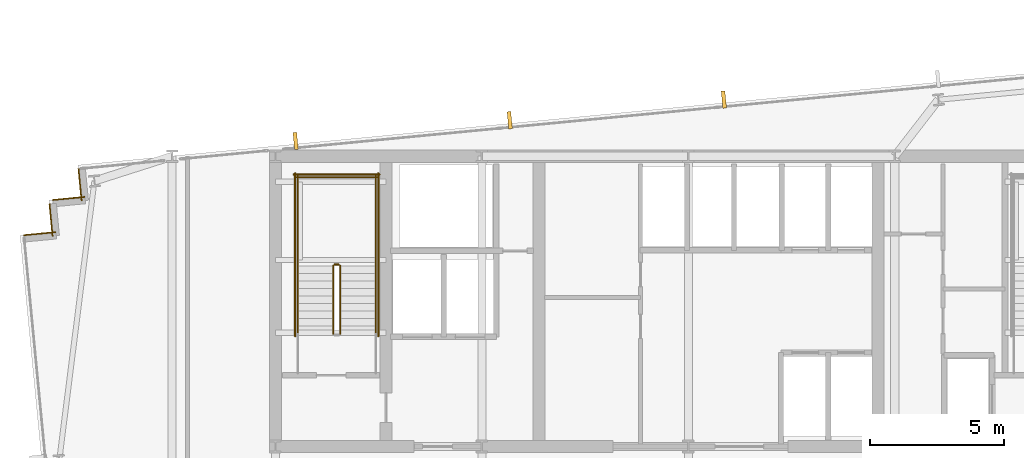
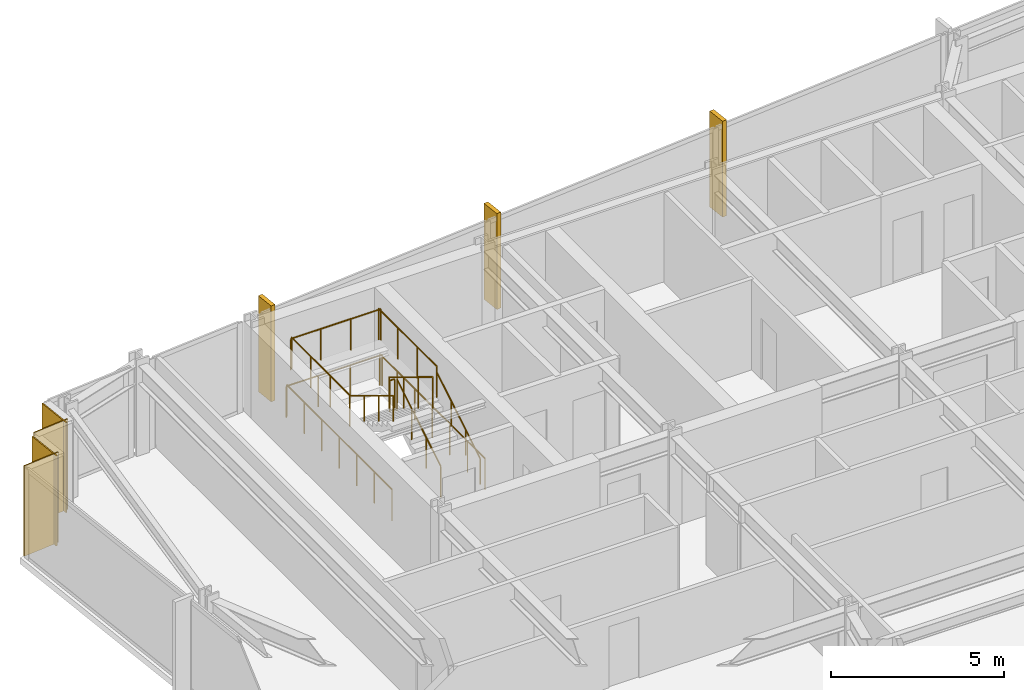
# One storey, part 31 of 32: 11 railings, 4 coverings, 3 shading devices.
"""IFC4 building model written with IfcOpenShell, lengths in metres."""

from ifc_helpers import new_model, si_unit, direction, frame, frame_2d, origin, origin_2d, place, context, subcontext, project, spatial, rectangle, circle, extrude, material, layer, layer_set, type_object, element, save


model = new_model("IFC4")

# Units and contexts
model_context = context("Model", 3, precision=1e-05, world=origin(), true_north=direction((0.0, 1.0)))
body_context = subcontext(model_context, "Body", "Model", "MODEL_VIEW")
ifc_project = project(units=[si_unit("LENGTHUNIT", "METRE"), si_unit("AREAUNIT", "SQUARE_METRE"), si_unit("VOLUMEUNIT", "CUBIC_METRE"), si_unit("PLANEANGLEUNIT", "RADIAN"), si_unit("MASSUNIT", "GRAM", prefix="KILO")], contexts=[model_context])

# Site, building, storey
site_placement = place(None, origin())
site = spatial("IfcSite", under=ifc_project, at=site_placement, CompositionType="ELEMENT")
building_placement = place(site_placement, origin())
building = spatial("IfcBuilding", under=site, at=building_placement, Name="Yelkora Congress Tower", CompositionType="ELEMENT")
storey_placement = place(building_placement, frame((0.0, 0.0, 120.300048828125)))
storey = spatial("IfcBuildingStorey", under=building, at=storey_placement, Name="L32", CompositionType="ELEMENT", Elevation=120.300048828125)

# Coverings
ifc_material_1 = material(Name="Anatolian bush-hammered limestone", Category="masonry")
ifc_layer_1 = layer(ifc_material_1, 0.0400390625)
ifc_layer_set_1 = layer_set([ifc_layer_1], Name="Anatolian bush-hammered limestone")
covering_type = type_object("IfcCoveringType", Name="COV-CLAD-SPANDREL-40", PredefinedType="CLADDING", material=ifc_layer_set_1)
for number, where, z_axis, x_axis, name in (
    (1, (13.677978515625, 43.260986328125, 0.0), (0.0, 0.0, 1.0), (0.995397091755, 0.095836473879, 0.0), "L32 Anatolian Limestone Cladding EW-L32-SR06"),
    (2, (14.7509765625, 43.228759765625, 0.0), (0.0, 0.0, 1.0), (-0.095836473879, 0.995397091755, 0.0), "L32 Anatolian Limestone Cladding EW-L32-SR07"),
):
    element("IfcCovering", number, at=place(storey_placement, frame(where, z_axis=z_axis, x_axis=x_axis)), inside=storey, type_object=covering_type, Name=name, PredefinedType="CLADDING", context=body_context, shape_type="SweptSolid", body=[
        extrude(rectangle(XDim=1.199951171875, YDim=0.0400390625, at=frame_2d((0.60009765625, 0.0))), origin(), (0.0, 0.0, 1.0), 3.179931640625),
    ])
for number, where, z_axis, x_axis, name in (
    (3, (14.75732421875, 44.570556640625, 0.0), (0.0, 0.0, 1.0), (0.995398960025, 0.095817067274, 0.0), "L32 Anatolian Limestone Cladding EW-L32-SR08"),
    (4, (15.830322265625, 44.5380859375, 0.0), (0.0, 0.0, 1.0), (-0.095817067274, 0.995398960025, 0.0), "L32 Anatolian Limestone Cladding EW-L32-SR09"),
):
    element("IfcCovering", number, at=place(storey_placement, frame(where, z_axis=z_axis, x_axis=x_axis)), inside=storey, type_object=covering_type, Name=name, PredefinedType="CLADDING", context=body_context, shape_type="SweptSolid", body=[
        extrude(rectangle(XDim=1.2001953125, YDim=0.0400390625, at=frame_2d((0.60009765625, 0.0))), origin(), (0.0, 0.0, 1.0), 3.179931640625),
    ])

# Railings
ifc_material_2 = material(Name="Painted galvanised steel stair well guard with vertical infill", Category="steel")
ifc_layer_2 = layer(ifc_material_2, 0.06005859375)
ifc_layer_set_2 = layer_set([ifc_layer_2], Name="Painted galvanised steel stair well guard with vertical infill")
railing_type_1 = type_object("IfcRailingType", Name="RAIL-STAIR-GUARD-1120", PredefinedType="GUARDRAIL", material=ifc_layer_set_2)
railing_1_placement = place(storey_placement, frame((25.449951171875, 39.60009765625, 0.169921875)))
element("IfcRailing", 5, at=railing_1_placement, inside=storey, type_object=railing_type_1, Name="ST-01 L32 Stair Well Guardrail 1", PredefinedType="GUARDRAIL", context=body_context, shape_type="SweptSolid", body=[
    extrude(circle(Radius=0.02392578125, at=origin_2d()), frame((0.0, 0.0, 1.09619140625), z_axis=(0.0, 0.85478489116, 0.518982456201), x_axis=(-1.0, 0.0, 0.0)), (0.0, 0.0, 1.0), 2.9482421875),
    extrude(circle(Radius=0.02099609375, at=origin_2d()), origin(), (0.0, 0.0, 1.0), 1.072021484375),
    extrude(circle(Radius=0.02099609375, at=origin_2d()), frame((0.0, 0.840087890625, 0.510009765625)), (0.0, 0.0, 1.0), 1.072021484375),
    extrude(circle(Radius=0.02099609375, at=origin_2d()), frame((0.0, 1.679931640625, 1.02001953125)), (0.0, 0.0, 1.0), 1.072021484375),
    extrude(circle(Radius=0.02099609375, at=origin_2d()), frame((0.0, 2.52001953125, 1.530029296875)), (0.0, 0.0, 1.0), 1.072021484375),
])
railing_2_placement = place(storey_placement, frame((25.39990234375, 42.169921875, 1.699951171875)))
element("IfcRailing", 6, at=railing_2_placement, inside=storey, type_object=railing_type_1, Name="ST-01 L32 Stair Well Guardrail 2", PredefinedType="GUARDRAIL", context=body_context, shape_type="SweptSolid", body=[
    extrude(circle(Radius=0.02392578125, at=origin_2d()), frame((0.0, 0.0, 1.09619140625), z_axis=(-1.0, 0.0, 0.0), x_axis=(0.0, -1.0, 0.0)), (0.0, 0.0, 1.0), 0.159912109375),
    extrude(circle(Radius=0.02099609375, at=origin_2d()), origin(), (0.0, 0.0, 1.0), 1.072021484375),
    extrude(circle(Radius=0.02099609375, at=origin_2d()), frame((-0.159912109375, 0.0, 0.0)), (0.0, 0.0, 1.0), 1.072021484375),
])
for number, where, name in (
    (7, (26.77001953125, 42.1201171875, 1.699951171875), "ST-01 L32 Stair Well Guardrail 3"),
    (8, (23.8701171875, 42.1201171875, 1.699951171875), "ST-01 L32 Stair Well Guardrail 4"),
):
    element("IfcRailing", number, at=place(storey_placement, frame(where)), inside=storey, type_object=railing_type_1, Name=name, PredefinedType="GUARDRAIL", context=body_context, shape_type="SweptSolid", body=[
        extrude(circle(Radius=0.02392578125, at=origin_2d()), frame((0.0, 0.0, 1.09619140625), z_axis=(0.0, 1.0, 0.0), x_axis=(-1.0, 0.0, 0.0)), (0.0, 0.0, 1.0), 3.349853515625),
        extrude(circle(Radius=0.02099609375, at=origin_2d()), origin(), (0.0, 0.0, 1.0), 1.072021484375),
        extrude(circle(Radius=0.02099609375, at=origin_2d()), frame((0.0, 1.11669921875, 0.0)), (0.0, 0.0, 1.0), 1.072021484375),
        extrude(circle(Radius=0.02099609375, at=origin_2d()), frame((0.0, 2.233154296875, 0.0)), (0.0, 0.0, 1.0), 1.072021484375),
        extrude(circle(Radius=0.02099609375, at=origin_2d()), frame((0.0, 3.349853515625, 0.0)), (0.0, 0.0, 1.0), 1.072021484375),
    ])
railing_3_placement = place(storey_placement, frame((26.820068359375, 45.419921875, 1.699951171875)))
element("IfcRailing", 9, at=railing_3_placement, inside=storey, type_object=railing_type_1, Name="ST-01 L32 Stair Well Guardrail 5", PredefinedType="GUARDRAIL", context=body_context, shape_type="SweptSolid", body=[
    extrude(circle(Radius=0.02392578125, at=origin_2d()), frame((0.0, 0.0, 1.09619140625), z_axis=(-1.0, 0.0, 0.0), x_axis=(0.0, -1.0, 0.0)), (0.0, 0.0, 1.0), 3.0),
    extrude(circle(Radius=0.02099609375, at=origin_2d()), origin(), (0.0, 0.0, 1.0), 1.072021484375),
    extrude(circle(Radius=0.02099609375, at=origin_2d()), frame((-1.0, 0.0, 0.0)), (0.0, 0.0, 1.0), 1.072021484375),
    extrude(circle(Radius=0.02099609375, at=origin_2d()), frame((-2.0, 0.0, 0.0)), (0.0, 0.0, 1.0), 1.072021484375),
    extrude(circle(Radius=0.02099609375, at=origin_2d()), frame((-3.0, 0.0, 0.0)), (0.0, 0.0, 1.0), 1.072021484375),
])
railing_4_placement = place(storey_placement, frame((25.18994140625, 42.1201171875, 1.869873046875)))
element("IfcRailing", 10, at=railing_4_placement, inside=storey, type_object=railing_type_1, Name="ST-01 L32 Stair Well Guardrail 6", PredefinedType="GUARDRAIL", context=body_context, shape_type="SweptSolid", body=[
    extrude(circle(Radius=0.02392578125, at=origin_2d()), frame((0.0, 0.0, 1.09619140625), z_axis=(0.0, -0.85478489116, 0.518982456201), x_axis=(1.0, 0.0, 0.0)), (0.0, 0.0, 1.0), 2.9482421875),
    extrude(circle(Radius=0.02099609375, at=origin_2d()), origin(), (0.0, 0.0, 1.0), 1.072021484375),
    extrude(circle(Radius=0.02099609375, at=origin_2d()), frame((0.0, -0.840087890625, 0.510009765625)), (0.0, 0.0, 1.0), 1.072021484375),
    extrude(circle(Radius=0.02099609375, at=origin_2d()), frame((0.0, -1.679931640625, 1.02001953125)), (0.0, 0.0, 1.0), 1.072021484375),
    extrude(circle(Radius=0.02099609375, at=origin_2d()), frame((0.0, -2.52001953125, 1.530029296875)), (0.0, 0.0, 1.0), 1.072021484375),
])
for number, where, name in (
    (11, (26.8701171875, 39.5, 0.0), "ST-01 L32 Stair Well Guardrail 10"),
    (12, (23.77001953125, 39.5, 0.0), "ST-01 L32 Stair Well Guardrail 11"),
):
    element("IfcRailing", number, at=place(storey_placement, frame(where)), inside=storey, type_object=railing_type_1, Name=name, PredefinedType="GUARDRAIL", context=body_context, shape_type="SweptSolid", body=[
        extrude(circle(Radius=0.02392578125, at=origin_2d()), frame((0.0, 0.0, 1.09619140625), z_axis=(0.0, 1.0, 0.0), x_axis=(-1.0, 0.0, 0.0)), (0.0, 0.0, 1.0), 6.070068359375),
        extrude(circle(Radius=0.02099609375, at=origin_2d()), origin(), (0.0, 0.0, 1.0), 1.072021484375),
        extrude(circle(Radius=0.02099609375, at=origin_2d()), frame((0.0, 1.01171875, 0.0)), (0.0, 0.0, 1.0), 1.072021484375),
        extrude(circle(Radius=0.02099609375, at=origin_2d()), frame((0.0, 2.0234375, 0.0)), (0.0, 0.0, 1.0), 1.072021484375),
        extrude(circle(Radius=0.02099609375, at=origin_2d()), frame((0.0, 3.03515625, 0.0)), (0.0, 0.0, 1.0), 1.072021484375),
        extrude(circle(Radius=0.02099609375, at=origin_2d()), frame((0.0, 4.046630859375, 0.0)), (0.0, 0.0, 1.0), 1.072021484375),
        extrude(circle(Radius=0.02099609375, at=origin_2d()), frame((0.0, 5.058349609375, 0.0)), (0.0, 0.0, 1.0), 1.072021484375),
        extrude(circle(Radius=0.02099609375, at=origin_2d()), frame((0.0, 6.070068359375, 0.0)), (0.0, 0.0, 1.0), 1.072021484375),
    ])
railing_5_placement = place(storey_placement, frame((26.919921875, 45.52001953125, 0.0)))
element("IfcRailing", 13, at=railing_5_placement, inside=storey, type_object=railing_type_1, Name="ST-01 L32 Stair Well Guardrail 12", PredefinedType="GUARDRAIL", context=body_context, shape_type="SweptSolid", body=[
    extrude(circle(Radius=0.02392578125, at=origin_2d()), frame((0.0, 0.0, 1.09619140625), z_axis=(-1.0, 0.0, 0.0), x_axis=(0.0, -1.0, 0.0)), (0.0, 0.0, 1.0), 3.199951171875),
    extrude(circle(Radius=0.02099609375, at=origin_2d()), origin(), (0.0, 0.0, 1.0), 1.072021484375),
    extrude(circle(Radius=0.02099609375, at=origin_2d()), frame((-1.066650390625, 0.0, 0.0)), (0.0, 0.0, 1.0), 1.072021484375),
    extrude(circle(Radius=0.02099609375, at=origin_2d()), frame((-2.13330078125, 0.0, 0.0)), (0.0, 0.0, 1.0), 1.072021484375),
    extrude(circle(Radius=0.02099609375, at=origin_2d()), frame((-3.199951171875, 0.0, 0.0)), (0.0, 0.0, 1.0), 1.072021484375),
])
ifc_material_3 = material(Name="Brushed stainless steel tubular handrail", Category="steel")
ifc_layer_3 = layer(ifc_material_3, 0.050048828125)
ifc_layer_set_3 = layer_set([ifc_layer_3], Name="Brushed stainless steel tubular handrail")
railing_type_2 = type_object("IfcRailingType", Name="RAIL-STAIR-HAND-920", PredefinedType="HANDRAIL", material=ifc_layer_set_3)
railing_6_placement = place(storey_placement, frame((26.77001953125, 39.60009765625, 0.169921875)))
element("IfcRailing", 14, at=railing_6_placement, inside=storey, type_object=railing_type_2, Name="ST-01 L32 Pitch Handrail 1", PredefinedType="HANDRAIL", context=body_context, shape_type="SweptSolid", body=[
    extrude(circle(Radius=0.02392578125, at=origin_2d()), frame((0.0, 0.0, 0.89599609375), z_axis=(0.0, 0.85478489116, 0.518982456201), x_axis=(-1.0, 0.0, 0.0)), (0.0, 0.0, 1.0), 2.9482421875),
    extrude(circle(Radius=0.02099609375, at=origin_2d()), origin(), (0.0, 0.0, 1.0), 0.871826171875),
    extrude(circle(Radius=0.02099609375, at=origin_2d()), frame((0.0, 0.840087890625, 0.510009765625)), (0.0, 0.0, 1.0), 0.871826171875),
    extrude(circle(Radius=0.02099609375, at=origin_2d()), frame((0.0, 1.679931640625, 1.02001953125)), (0.0, 0.0, 1.0), 0.871826171875),
    extrude(circle(Radius=0.02099609375, at=origin_2d()), frame((0.0, 2.52001953125, 1.530029296875)), (0.0, 0.0, 1.0), 0.871826171875),
])
railing_7_placement = place(storey_placement, frame((23.8701171875, 42.1201171875, 1.869873046875)))
element("IfcRailing", 15, at=railing_7_placement, inside=storey, type_object=railing_type_2, Name="ST-01 L32 Pitch Handrail 2", PredefinedType="HANDRAIL", context=body_context, shape_type="SweptSolid", body=[
    extrude(circle(Radius=0.02392578125, at=origin_2d()), frame((0.0, 0.0, 0.89599609375), z_axis=(0.0, -0.85478489116, 0.518982456201), x_axis=(1.0, 0.0, 0.0)), (0.0, 0.0, 1.0), 2.9482421875),
    extrude(circle(Radius=0.02099609375, at=origin_2d()), origin(), (0.0, 0.0, 1.0), 0.871826171875),
    extrude(circle(Radius=0.02099609375, at=origin_2d()), frame((0.0, -0.840087890625, 0.510009765625)), (0.0, 0.0, 1.0), 0.871826171875),
    extrude(circle(Radius=0.02099609375, at=origin_2d()), frame((0.0, -1.679931640625, 1.02001953125)), (0.0, 0.0, 1.0), 0.871826171875),
    extrude(circle(Radius=0.02099609375, at=origin_2d()), frame((0.0, -2.52001953125, 1.530029296875)), (0.0, 0.0, 1.0), 0.871826171875),
])

# Shading devices
ifc_material_4 = material(Name="Champagne anodised aluminium", Category="aluminium")
ifc_layer_4 = layer(ifc_material_4, 3.39990234375)
ifc_layer_set_4 = layer_set([ifc_layer_4], Name="Champagne anodised aluminium")
shading_device_type = type_object("IfcShadingDeviceType", Name="SHD-FIN-ALU-640", PredefinedType="USERDEFINED", material=ifc_layer_set_4)
for number, where, z_axis, x_axis, name in (
    (16, (23.791015625, 46.771484375, -0.030029296875), (0.0, 0.0, 1.0), (0.995396198367, 0.09584575252, 0.0), "L32 Vertical Anodised Solar Fin 10-1"),
    (17, (31.7568359375, 47.53857421875, -0.030029296875), (0.0, 0.0, 1.0), (0.995396198367, 0.09584575252, 0.0), "L32 Vertical Anodised Solar Fin 10-2"),
    (18, (39.722900390625, 48.3056640625, -0.030029296875), (0.0, 0.0, 1.0), (0.995396198367, 0.09584575252, 0.0), "L32 Vertical Anodised Solar Fin 10-3"),
):
    element("IfcShadingDevice", number, at=place(storey_placement, frame(where, z_axis=z_axis, x_axis=x_axis)), inside=storey, type_object=shading_device_type, Name=name, ObjectType="FIN", PredefinedType="USERDEFINED", context=body_context, shape_type="SweptSolid", body=[
        extrude(rectangle(XDim=0.139892578125, YDim=0.639892578125, at=origin_2d()), origin(), (0.0, 0.0, 1.0), 3.3798828125),
    ])

save(model, "model.ifc")
